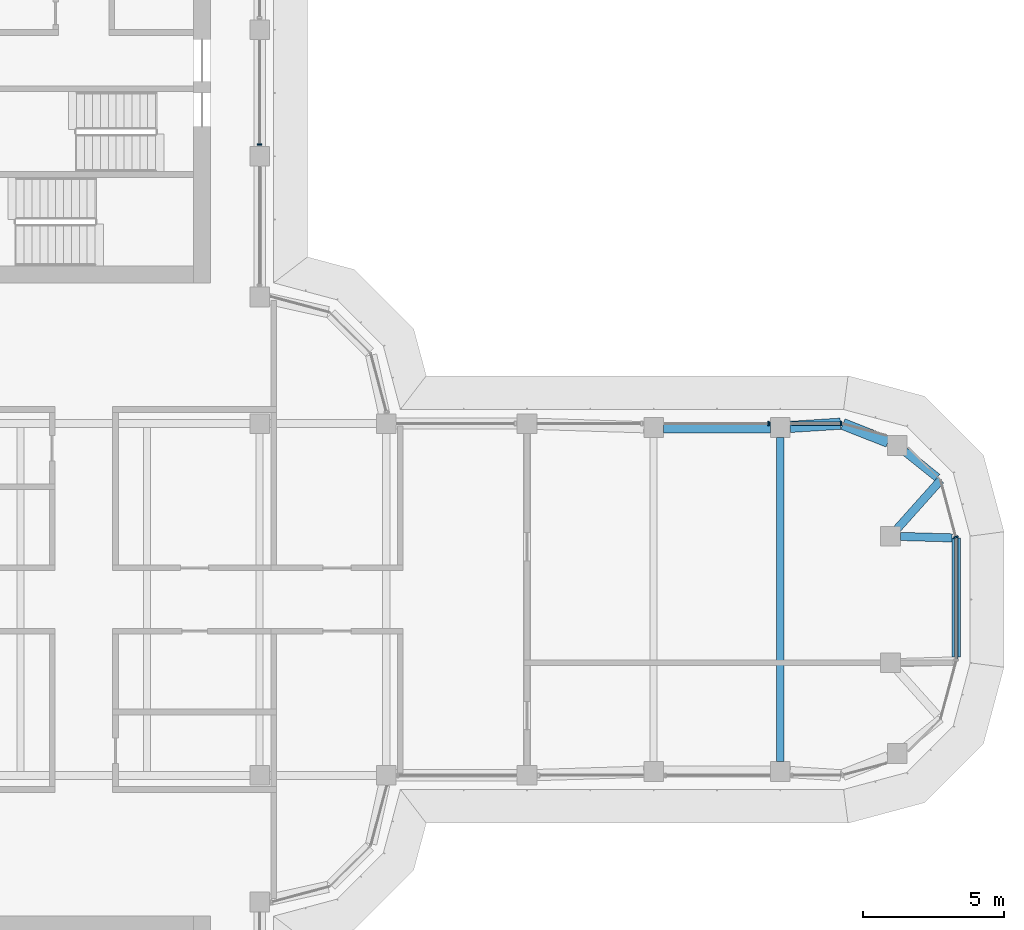
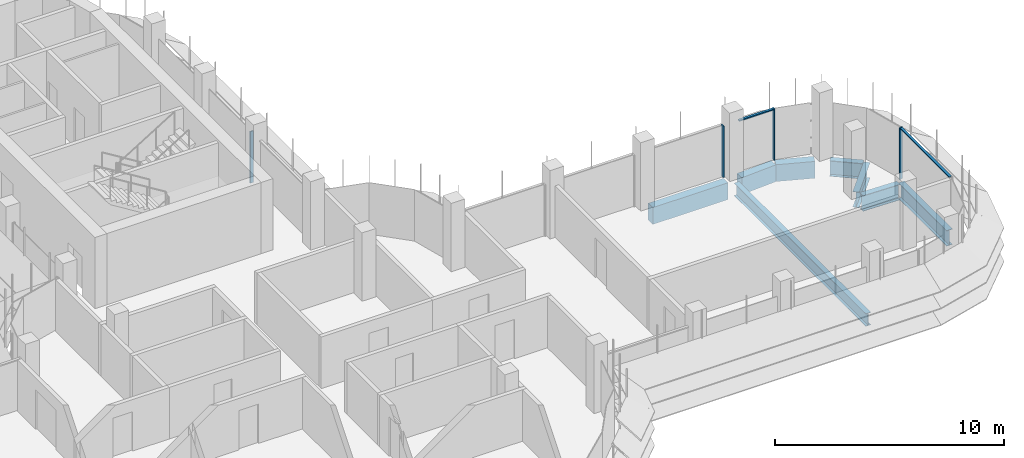
# One storey, part 9 of 19: 8 beams, 6 members, 4 elements without a shape of their own.
"""IFC4 building model written with IfcOpenShell, lengths in metres."""

from ifc_helpers import new_model, si_unit, direction, frame, origin, origin_2d, place, context, subcontext, project, spatial, polyline, rectangle, i_section, outline, extrude, source, transform, mapped, material, material_profile, profile_set, type_object, element, aggregate, save


model = new_model("IFC4")

# Units and contexts
model_context = context("Model", 3, precision=1e-05, world=origin(), true_north=direction((0.0, 1.0)))
body_context = subcontext(model_context, "Body", "Model", "MODEL_VIEW")
ifc_project = project(units=[si_unit("LENGTHUNIT", "METRE"), si_unit("AREAUNIT", "SQUARE_METRE"), si_unit("VOLUMEUNIT", "CUBIC_METRE"), si_unit("PLANEANGLEUNIT", "RADIAN"), si_unit("MASSUNIT", "GRAM", prefix="KILO")], contexts=[model_context])

# Site, building, storey
site_placement = place(None, origin())
site = spatial("IfcSite", under=ifc_project, at=site_placement, CompositionType="ELEMENT")
building_placement = place(site_placement, origin())
building = spatial("IfcBuilding", under=site, at=building_placement, Name="Zarbagh Exchange Tower", CompositionType="ELEMENT")
storey_placement = place(building_placement, frame((0.0, 0.0, 225.800048828125)))
storey = spatial("IfcBuildingStorey", under=building, at=storey_placement, Name="L55", CompositionType="ELEMENT", Elevation=225.800048828125)

# Beams
ifc_material_1 = material(Name="Steel ASTM A992 Gr 50", Category="steel")
ifc_material_profile_1 = material_profile(ifc_material_1, i_section(OverallWidth=0.25390625, OverallDepth=0.67822265625, WebThickness=0.01171875, FlangeThickness=0.016357421875, at=origin_2d()), Name="W27X84")
ifc_profile_set_1 = profile_set([ifc_material_profile_1], Name="Steel ASTM A992 Gr 50")
beam_type_1 = type_object("IfcBeamType", Name="Floor beam W27X84", PredefinedType="BEAM", material=ifc_profile_set_1)
beam_1_placement = place(storey_placement, frame((24.75, -5.760009765625, -0.4892578125), z_axis=(0.0, 1.0, 0.0), x_axis=(-1.0, 0.0, 0.0)))
element("IfcBeam", 1, at=beam_1_placement, inside=storey, type_object=beam_type_1, Name="Steel floor beam", PredefinedType="BEAM", context=body_context, shape_type="SweptSolid", body=[
    extrude(i_section(OverallWidth=0.25390625, OverallDepth=0.67822265625, WebThickness=0.01171875, FlangeThickness=0.016357421875, at=origin_2d()), origin(), (0.0, 0.0, 1.0), 11.52001953125),
])
ifc_material_profile_2 = material_profile(ifc_material_1, i_section(OverallWidth=0.2919921875, OverallDepth=0.835693359375, WebThickness=0.013916015625, FlangeThickness=0.018798828125, at=origin_2d()), Name="W33X118")
ifc_profile_set_2 = profile_set([ifc_material_profile_2], Name="Steel ASTM A992 Gr 50")
beam_type_2 = type_object("IfcBeamType", Name="Floor girder W33X118", PredefinedType="BEAM", material=ifc_profile_set_2)
beam_2_placement = place(storey_placement, frame((29.18115234375, 5.256103515625, -0.56787109375), z_axis=(0.780625690962, -0.624998824487, 0.0), x_axis=(0.624998824487, 0.780625690962, 0.0)))
element("IfcBeam", 2, at=beam_2_placement, inside=storey, type_object=beam_type_2, Name="Steel girder", PredefinedType="BEAM", context=body_context, shape_type="SweptSolid", body=[
    extrude(i_section(OverallWidth=0.2919921875, OverallDepth=0.835693359375, WebThickness=0.013916015625, FlangeThickness=0.018798828125, at=origin_2d()), origin(), (0.0, 0.0, 1.0), 1.469970703125),
])
beam_3_placement = place(storey_placement, frame((30.44873046875, 4.2412109375, -0.56787109375), z_axis=(-0.66615169279, -0.745816279115, 0.0), x_axis=(0.745816279115, -0.66615169279, 0.0)))
element("IfcBeam", 3, at=beam_3_placement, inside=storey, type_object=beam_type_2, Name="Steel girder", PredefinedType="BEAM", context=body_context, shape_type="SweptSolid", body=[
    extrude(i_section(OverallWidth=0.2919921875, OverallDepth=0.835693359375, WebThickness=0.013916015625, FlangeThickness=0.018798828125, at=origin_2d()), origin(), (0.0, 0.0, 1.0), 2.31982421875),
])
beam_4_placement = place(storey_placement, frame((29.02001953125, 2.239990234375, -0.56787109375), z_axis=(0.999603805015, -0.028146633904, 0.0), x_axis=(0.028146633904, 0.999603805015, 0.0)))
element("IfcBeam", 4, at=beam_4_placement, inside=storey, type_object=beam_type_2, Name="Steel girder", PredefinedType="BEAM", context=body_context, shape_type="SweptSolid", body=[
    extrude(i_section(OverallWidth=0.2919921875, OverallDepth=0.835693359375, WebThickness=0.013916015625, FlangeThickness=0.018798828125, at=origin_2d()), origin(), (0.0, 0.0, 1.0), 1.8388671875),
])
beam_5_placement = place(storey_placement, frame((31.0, 2.18408203125, -0.56787109375), z_axis=(0.0, -1.0, 0.0), x_axis=(1.0, 0.0, 0.0)))
element("IfcBeam", 5, at=beam_5_placement, inside=storey, type_object=beam_type_2, Name="Steel girder", PredefinedType="BEAM", context=body_context, shape_type="SweptSolid", body=[
    extrude(i_section(OverallWidth=0.2919921875, OverallDepth=0.835693359375, WebThickness=0.013916015625, FlangeThickness=0.018798828125, at=origin_2d()), origin(), (0.0, 0.0, 1.0), 4.226318359375),
])
ifc_material_2 = material(Name="Concrete C50/60", Category="concrete")
ifc_material_profile_3 = material_profile(ifc_material_2, rectangle(XDim=0.39990234375, YDim=0.89990234375, at=origin_2d()), Name="RC spandrel beam 400 x 900 C50/60")
ifc_profile_set_3 = profile_set([ifc_material_profile_3], Name="Concrete C50/60")
beam_type_3 = type_object("IfcBeamType", Name="RC spandrel beam 400 x 900 C50/60", PredefinedType="SPANDREL", material=ifc_profile_set_3)
beam_6_placement = place(storey_placement, frame((20.60009765625, 6.110107421875, -0.60009765625), z_axis=(1.0, 0.0, 0.0), x_axis=(0.0, 1.0, 0.0)))
element("IfcBeam", 6, at=beam_6_placement, inside=storey, type_object=beam_type_3, Name="RC spandrel beam", PredefinedType="SPANDREL", context=body_context, shape_type="SweptSolid", body=[
    extrude(rectangle(XDim=0.39990234375, YDim=0.89990234375, at=origin_2d()), origin(), (0.0, 0.0, 1.0), 3.7998046875),
])
beam_7_placement = place(storey_placement, frame((25.099365234375, 6.13232421875, -0.60009765625), z_axis=(0.997943601797, 0.064098109429, 0.0), x_axis=(-0.064098109429, 0.997943601797, 0.0)))
element("IfcBeam", 7, at=beam_7_placement, inside=storey, type_object=beam_type_3, Name="RC spandrel beam", PredefinedType="SPANDREL", context=body_context, shape_type="SweptSolid", body=[
    extrude(rectangle(XDim=0.39990234375, YDim=0.89990234375, at=origin_2d()), origin(), (0.0, 0.0, 1.0), 1.7939453125),
])
beam_8_placement = place(storey_placement, frame((26.9755859375, 6.233642578125, -0.60009765625), z_axis=(0.930818525178, -0.365481700207, 0.0), x_axis=(0.365481700207, 0.930818525178, 0.0)))
element("IfcBeam", 8, at=beam_8_placement, inside=storey, type_object=beam_type_3, Name="RC spandrel beam", PredefinedType="SPANDREL", context=body_context, shape_type="SweptSolid", body=[
    extrude(rectangle(XDim=0.39990234375, YDim=0.89990234375, at=origin_2d()), origin(), (0.0, 0.0, 1.0), 1.72607421875),
])

# Curtain wall, member
ifc_material_3 = material(Name="Anodised aluminium frame and glazing", Category="aluminium")
curtain_wall_type = type_object("IfcCurtainWallType", Name="CWB Ribbon glazing, upper zones", PredefinedType="NOTDEFINED", material=ifc_material_3)
curtain_wall_1_placement = place(storey_placement, origin())
curtain_wall_1 = element("IfcCurtainWall", 9, at=curtain_wall_1_placement, inside=storey, type_object=curtain_wall_type, Name="CWB13 curtain wall", PredefinedType="NOTDEFINED")
ifc_material_4 = material(Name="Anodised aluminium frame", Category="aluminium")
member_type_1 = type_object("IfcMemberType", Name="MUB Mullion, anodised aluminium frame", PredefinedType="MULLION", material=ifc_material_4)
shared_shape_1 = source(origin(), body_context, "Body", "SweptSolid", [
    extrude(outline(polyline([(0.0, -0.080078125), (0.06005859375, -0.080078125), (0.06005859375, 0.080078125), (0.0, 0.080078125), (0.0, -0.080078125)])), origin(), (0.0, 0.0, 1.0), 2.75),
])
placement = place(storey_placement, origin())
member_1 = element("IfcMember", 10, at=placement, type_object=member_type_1, Name="CWB13 mullion 1.1", PredefinedType="MULLION", context=body_context, shape_type="MappedRepresentation", body=[
    mapped(shared_shape_1, transform((31.0, 2.18408203125, 0.0), x_axis=(-0.258824779902, 0.965924289636, 0.0), y_axis=(-0.965924289636, -0.258824779902, 0.0), z_axis=(0.0, 0.0, 1.0))),
])
aggregate(curtain_wall_1, [member_1])

# Curtain wall, members
curtain_wall_2_placement = place(storey_placement, origin())
curtain_wall_2 = element("IfcCurtainWall", 11, at=curtain_wall_2_placement, inside=storey, type_object=curtain_wall_type, Name="CWB16 curtain wall", PredefinedType="NOTDEFINED")
member_2 = element("IfcMember", 12, at=placement, type_object=member_type_1, Name="CWB16 mullion 1.1", PredefinedType="MULLION", context=body_context, shape_type="MappedRepresentation", body=[
    mapped(shared_shape_1, transform((26.93408203125, 6.25, 0.0), x_axis=(-1.0, 0.0, 0.0), y_axis=(0.0, -1.0, 0.0), z_axis=(0.0, 0.0, 1.0))),
])
member_3 = element("IfcMember", 13, at=placement, type_object=member_type_1, Name="CWB16 mullion 2.1", PredefinedType="MULLION", context=body_context, shape_type="MappedRepresentation", body=[
    mapped(shared_shape_1, transform((24.35986328125, 6.25, 0.0), x_axis=(-1.0, 0.0, 0.0), y_axis=(0.0, -1.0, 0.0), z_axis=(0.0, 0.0, 1.0))),
])

# Curtain wall, member
curtain_wall_3_placement = place(storey_placement, origin())
curtain_wall_3 = element("IfcCurtainWall", 14, at=curtain_wall_3_placement, inside=storey, type_object=curtain_wall_type, Name="CWB67 curtain wall", PredefinedType="NOTDEFINED")
member_4 = element("IfcMember", 15, at=placement, type_object=member_type_1, Name="CWB67 mullion 2.1", PredefinedType="MULLION", context=body_context, shape_type="MappedRepresentation", body=[
    mapped(shared_shape_1, transform((6.25, 16.14013671875, 0.0), x_axis=(0.0, 1.0, 0.0), y_axis=(-1.0, 0.0, 0.0), z_axis=(0.0, 0.0, 1.0))),
])
aggregate(curtain_wall_3, [member_4])

# Member
member_type_2 = type_object("IfcMemberType", Name="TRB Transom, anodised aluminium frame", PredefinedType="USERDEFINED", material=ifc_material_4)
shared_shape_2 = source(origin(), body_context, "Body", "SweptSolid", [
    extrude(outline(polyline([(-0.06005859375, -0.06005859375), (0.0, -0.06005859375), (0.0, 0.06005859375), (-0.06005859375, 0.06005859375), (-0.06005859375, -0.06005859375)])), origin(), (0.0, 0.0, 1.0), 1.734130859375),
])
member_5 = element("IfcMember", 16, at=placement, type_object=member_type_2, Name="CWB16 transom 1.1", ObjectType="TRANSOM", PredefinedType="USERDEFINED", context=body_context, shape_type="MappedRepresentation", body=[
    mapped(shared_shape_2, transform((26.874267578125, 6.25, 2.75), x_axis=(0.0, 0.0, 1.0), y_axis=(0.0, 1.0, 0.0), z_axis=(-1.0, 0.0, 0.0))),
])

aggregate(curtain_wall_2, [member_2, member_5, member_3])

# Curtain wall, member
curtain_wall_4_placement = place(storey_placement, origin())
curtain_wall_4 = element("IfcCurtainWall", 17, at=curtain_wall_4_placement, inside=storey, type_object=curtain_wall_type, Name="CWB12 curtain wall", PredefinedType="NOTDEFINED")
shared_shape_3 = source(origin(), body_context, "Body", "SweptSolid", [
    extrude(outline(polyline([(-0.06005859375, -0.06005859375), (0.0, -0.06005859375), (0.0, 0.06005859375), (-0.06005859375, 0.06005859375), (-0.06005859375, -0.06005859375)])), origin(), (0.0, 0.0, 1.0), 4.308349609375),
])
member_6 = element("IfcMember", 18, at=placement, type_object=member_type_2, Name="CWB12 transom 1.1", ObjectType="TRANSOM", PredefinedType="USERDEFINED", context=body_context, shape_type="MappedRepresentation", body=[
    mapped(shared_shape_3, transform((31.0, -2.124267578125, 2.75), x_axis=(0.0, 0.0, 1.0), y_axis=(1.0, 0.0, 0.0), z_axis=(0.0, 1.0, 0.0))),
])
aggregate(curtain_wall_4, [member_6])

save(model, "model.ifc")
